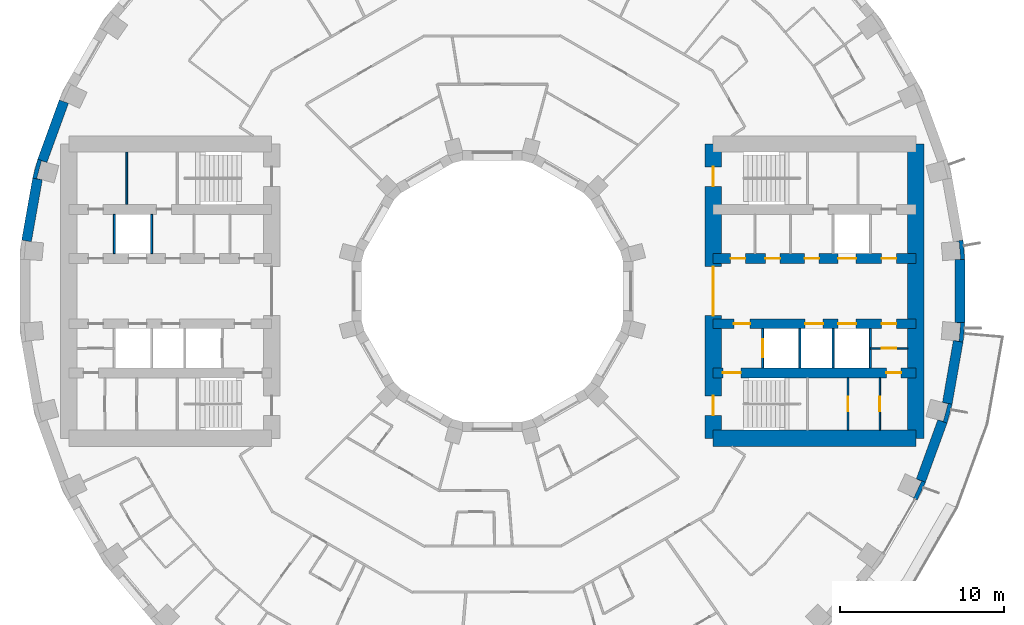
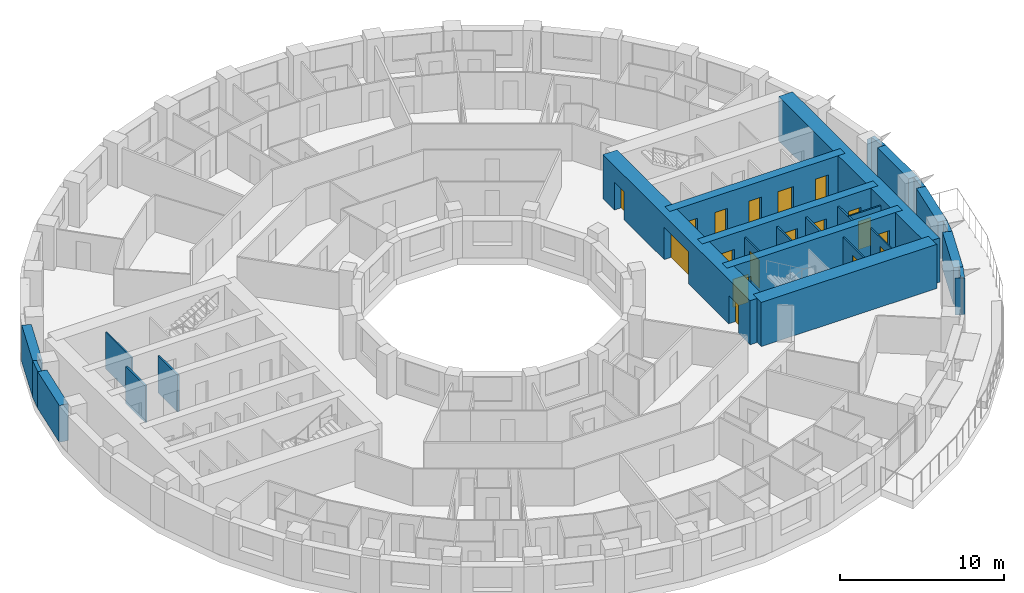
# One storey, part 9 of 15: 26 walls, 18 doors, 18 openings.
"""IFC4 building model written with IfcOpenShell, lengths in metres."""

import ifcopenshell
import ifcopenshell.guid

model = None  # the IFC model being written
_history = None  # IfcOwnerHistory: only IFC2X3 demands one
_inside = {}  # id of a spatial element -> (the spatial element, [elements in it])
_under = {}  # id of a project, library or spatial element -> (it, [spatial elements below it])
_declared = {}  # id of a project -> (the project, [libraries it declares])
_typed = {}  # id of a type object -> (the type object, [elements of that type])
_made_of = {}  # id of a material, layer set ... -> (it, [elements and type objects made of it])


def new_model(schema):
    """Start an empty IFC model of exactly this schema.

    Asked for "IFC4X3", IfcOpenShell would pick the latest addendum, in which some entities
    have other attributes; the version numbers below select the first issue.
    IFC2X3 requires an IfcOwnerHistory on every rooted entity: one is made here for all.
    """
    global model, _history
    if schema == "IFC4X3":
        model = ifcopenshell.file(schema_version=(4, 3, 0, 0))
    else:
        model = ifcopenshell.file(schema=schema)
    _inside.clear()
    _under.clear()
    _declared.clear()
    _typed.clear()
    _made_of.clear()
    _history = None
    if model.schema == "IFC2X3":
        org = make("IfcOrganization", Name="unknown")
        user = make(
            "IfcPersonAndOrganization",
            ThePerson=make("IfcPerson", FamilyName="unknown"),
            TheOrganization=org,
        )
        app = make(
            "IfcApplication",
            ApplicationDeveloper=org,
            Version="unknown",
            ApplicationFullName="unknown",
            ApplicationIdentifier="unknown",
        )
        _history = make(
            "IfcOwnerHistory",
            OwningUser=user,
            OwningApplication=app,
            ChangeAction="ADDED",
            CreationDate=0,
        )
    return model


def make(cls, **values):
    """One entity of the class cls with the attributes given. An attribute that is None is left unset."""
    return model.create_entity(
        cls, **{name: value for name, value in values.items() if value is not None}
    )


def rooted(cls, **values):
    """An entity with a GlobalId (a new one), such as an element, a storey or a relation."""
    return make(cls, GlobalId=ifcopenshell.guid.new(), OwnerHistory=_history, **values)


def si_unit(unit_type, name, prefix=None):
    """IfcSIUnit, for example si_unit("LENGTHUNIT", "METRE", prefix="MILLI")."""
    return make("IfcSIUnit", UnitType=unit_type, Prefix=prefix, Name=name)


def assignment(units):
    """IfcUnitAssignment: the units of a project."""
    return None if units is None else make("IfcUnitAssignment", Units=units)


def point(xyz):
    """IfcCartesianPoint."""
    return None if xyz is None else make("IfcCartesianPoint", Coordinates=xyz)


def direction(xyz):
    """IfcDirection."""
    return None if xyz is None else make("IfcDirection", DirectionRatios=xyz)


def frame(location, z_axis=None, x_axis=None):
    """IfcAxis2Placement3D, a coordinate frame: its origin and axes. An axis left out is left unset."""
    return make(
        "IfcAxis2Placement3D",
        Location=point(location),
        Axis=direction(z_axis),
        RefDirection=direction(x_axis),
    )


def frame_2d(location, x_axis=None):
    """IfcAxis2Placement2D, a coordinate frame in the plane: its origin and x axis."""
    return make(
        "IfcAxis2Placement2D", Location=point(location), RefDirection=direction(x_axis)
    )


def origin():
    """The frame at (0, 0, 0) with its axes left unset."""
    return frame((0.0, 0.0, 0.0))


def place(relative_to, where):
    """IfcLocalPlacement: puts the frame where relative to a parent placement (None: the world)."""
    return make(
        "IfcLocalPlacement", PlacementRelTo=relative_to, RelativePlacement=where
    )


def context(
    kind, dimensions, precision=None, world=None, true_north=None, identifier=None
):
    """IfcGeometricRepresentationContext, for example the 3D "Model" context."""
    return make(
        "IfcGeometricRepresentationContext",
        ContextIdentifier=identifier,
        ContextType=kind,
        CoordinateSpaceDimension=dimensions,
        Precision=precision,
        WorldCoordinateSystem=world,
        TrueNorth=true_north,
    )


def subcontext(parent, identifier, kind, view, scale=None):
    """IfcGeometricRepresentationSubContext, for example "Body" below "Model"."""
    return make(
        "IfcGeometricRepresentationSubContext",
        ContextIdentifier=identifier,
        ContextType=kind,
        ParentContext=parent,
        TargetScale=scale,
        TargetView=view,
    )


def project(units=None, contexts=None):
    """IfcProject with its units and contexts."""
    return rooted(
        "IfcProject",
        Name="project",
        RepresentationContexts=contexts,
        UnitsInContext=assignment(units),
    )


def spatial(cls, under=None, at=None, **own):
    """A site, building, storey or space (cls), placed at a placement, below another one or the project."""
    s = rooted(cls, ObjectPlacement=at, **own)
    if under is not None:
        _under.setdefault(under.id(), (under, []))[1].append(s)
    return s


def polyline(points):
    """IfcPolyline through the points."""
    return make("IfcPolyline", Points=[point(p) for p in points])


def profile(cls, at=None, kind="AREA", **sizes):
    """A parametric profile (cls). Its sizes go by their IFC names, for example OverallWidth=200.0."""
    return make(cls, ProfileType=kind, Position=at, **sizes)


def rectangle(**sizes):
    """IfcRectangleProfileDef."""
    return profile("IfcRectangleProfileDef", **sizes)


def outline(outer, holes=None, kind="AREA"):
    """IfcArbitraryClosedProfileDef: a profile drawn as a closed curve; with holes, ...WithVoids."""
    if holes is None:
        return make("IfcArbitraryClosedProfileDef", ProfileType=kind, OuterCurve=outer)
    return make(
        "IfcArbitraryProfileDefWithVoids",
        ProfileType=kind,
        OuterCurve=outer,
        InnerCurves=holes,
    )


def extrude(swept, where, along, depth):
    """IfcExtrudedAreaSolid: the profile swept, set in the frame where, extruded along a direction by depth."""
    return make(
        "IfcExtrudedAreaSolid",
        SweptArea=swept,
        Position=where,
        ExtrudedDirection=direction(along),
        Depth=depth,
    )


def shape(context_of_items, identifier, shape_type, items):
    """IfcShapeRepresentation: the items that make up one representation, for example the "Body"."""
    return make(
        "IfcShapeRepresentation",
        ContextOfItems=context_of_items,
        RepresentationIdentifier=identifier,
        RepresentationType=shape_type,
        Items=items,
    )


def material(Name=None, Category=None):
    """IfcMaterial."""
    return make("IfcMaterial", Name=Name, Category=Category)


def layer(
    of_material, thickness, ventilated=None, Name=None, Category=None, Priority=None
):
    """IfcMaterialLayer: one layer of a wall or slab, of a material (None: an air gap)."""
    return make(
        "IfcMaterialLayer",
        Material=of_material,
        LayerThickness=thickness,
        IsVentilated=ventilated,
        Name=Name,
        Category=Category,
        Priority=Priority,
    )


def layer_set(layers, Name=None):
    """IfcMaterialLayerSet."""
    return make("IfcMaterialLayerSet", MaterialLayers=layers, LayerSetName=Name)


def made_of(thing, what):
    """Note that an element or type object is made of a material, layer set ...; save() writes the relation."""
    if what is not None:
        _made_of.setdefault(what.id(), (what, []))[1].append(thing)
    return thing


def type_object(cls, material=None, **own):
    """A type object (cls), such as IfcWallType, which elements share."""
    return made_of(rooted(cls, **own), material)


def element(
    cls,
    number,
    at=None,
    inside=None,
    cuts=None,
    type_object=None,
    material=None,
    context=None,
    identifier="Body",
    shape_type=None,
    held_by="IfcProductDefinitionShape",
    body=None,
    shapes=None,
    **own,
):
    """One element of the class cls, such as IfcWall. Its Tag is "e" and its number.

    at: its placement. inside: the storey or other place that contains it. cuts: it is an
    opening in that element (IfcRelVoidsElement). A single representation is given by context,
    identifier, shape_type and body (its items); several are given by shapes. held_by: the class
    of the entity that holds the representations. save() writes the other relations.
    """
    e = rooted(cls, Tag="e%d" % number, ObjectPlacement=at, **own)
    if body is not None:
        shapes = [shape(context, identifier, shape_type, body)]
    if shapes is not None:
        e.Representation = make(held_by, Representations=shapes)
    if inside is not None:
        _inside.setdefault(inside.id(), (inside, []))[1].append(e)
    if cuts is not None:
        rooted(
            "IfcRelVoidsElement", RelatingBuildingElement=cuts, RelatedOpeningElement=e
        )
    if type_object is not None:
        _typed.setdefault(type_object.id(), (type_object, []))[1].append(e)
    return made_of(e, material)


def fill(opening, filler):
    """IfcRelFillsElement: the door or window that sits in an opening."""
    return rooted(
        "IfcRelFillsElement",
        RelatingOpeningElement=opening,
        RelatedBuildingElement=filler,
    )


def aggregate(whole, parts):
    """IfcRelAggregates: a whole, such as a stair, and the parts it consists of."""
    return rooted("IfcRelAggregates", RelatingObject=whole, RelatedObjects=parts)


def save(model, path):
    """Write the relations noted so far, then the file.

    IfcRelAggregates (storeys below a building ...), IfcRelContainedInSpatialStructure (elements
    in a storey), IfcRelDefinesByType, IfcRelAssociatesMaterial and IfcRelDeclares: one each for
    every whole, place, type object, material and project.
    """
    for whole, parts in _under.values():
        aggregate(whole, parts)
    for where, things in _inside.values():
        rooted(
            "IfcRelContainedInSpatialStructure",
            RelatedElements=things,
            RelatingStructure=where,
        )
    for kind, things in _typed.values():
        rooted("IfcRelDefinesByType", RelatedObjects=things, RelatingType=kind)
    for what, things in _made_of.values():
        rooted("IfcRelAssociatesMaterial", RelatedObjects=things, RelatingMaterial=what)
    for by, libraries in _declared.values():
        rooted("IfcRelDeclares", RelatingContext=by, RelatedDefinitions=libraries)
    model.write(path)


model = new_model("IFC4")

# Units and contexts
model_context = context("Model", 3, precision=1e-05, world=origin(), true_north=direction((0.0, 1.0)))
body_context = subcontext(model_context, "Body", "Model", "MODEL_VIEW")
ifc_project = project(units=[si_unit("LENGTHUNIT", "METRE"), si_unit("AREAUNIT", "SQUARE_METRE"), si_unit("VOLUMEUNIT", "CUBIC_METRE"), si_unit("PLANEANGLEUNIT", "RADIAN"), si_unit("MASSUNIT", "GRAM", prefix="KILO")], contexts=[model_context])

# Site, building, storey
site_placement = place(None, origin())
site = spatial("IfcSite", under=ifc_project, at=site_placement, CompositionType="ELEMENT")
building_placement = place(site_placement, origin())
building = spatial("IfcBuilding", under=site, at=building_placement, Name="Saqina Gate Tower", CompositionType="ELEMENT")
storey_placement = place(building_placement, frame((0.0, 0.0, 42.800048828125)))
storey = spatial("IfcBuildingStorey", under=building, at=storey_placement, Name="L11", CompositionType="ELEMENT", Elevation=42.800048828125)

# Walls
ifc_material_1 = material(Name="Brick masonry (red)", Category="masonry")
wall_type_1 = type_object("IfcWallType", Name="BRICK PIER COPING RED", PredefinedType="SOLIDWALL", material=ifc_material_1)
wall_1_placement = place(storey_placement, origin())
element("IfcWall", 1, at=wall_1_placement, inside=storey, type_object=wall_type_1, Name="Pier cap L11 column 1", PredefinedType="SOLIDWALL", context=body_context, shape_type="SweptSolid", body=[
    extrude(outline(polyline([(28.8896484375, 1.9228515625), (28.78466796875, 3.122802734375), (28.19384765625, 3.018798828125), (28.54296875, 3.04931640625), (28.638671875, 1.95361328125), (28.28955078125, 1.9228515625), (28.8896484375, 1.9228515625)])), origin(), (0.0, 0.0, 1.0), 2.75),
])
wall_2_placement = place(storey_placement, origin())
element("IfcWall", 2, at=wall_2_placement, inside=storey, type_object=wall_type_1, Name="Pier cap L11 column 17", PredefinedType="SOLIDWALL", context=body_context, shape_type="SweptSolid", body=[
    extrude(outline(polyline([(-28.11669921875, 6.910400390625), (-27.52587890625, 6.80615234375), (-27.864501953125, 6.896728515625), (-27.57958984375, 7.95947265625), (-27.2412109375, 7.86865234375), (-27.80517578125, 8.073974609375), (-28.11669921875, 6.910400390625)])), origin(), (0.0, 0.0, 1.0), 2.75),
])
wall_3_placement = place(storey_placement, origin())
element("IfcWall", 3, at=wall_3_placement, inside=storey, type_object=wall_type_1, Name="Pier cap L11 column 34", PredefinedType="SOLIDWALL", context=body_context, shape_type="SweptSolid", body=[
    extrude(outline(polyline([(26.48974609375, -11.687744140625), (25.92578125, -11.482666015625), (26.243408203125, -11.630615234375), (25.778564453125, -12.627685546875), (25.4609375, -12.4794921875), (25.980712890625, -12.779541015625), (26.48974609375, -11.687744140625)])), origin(), (0.0, 0.0, 1.0), 2.75),
])
wall_4_placement = place(storey_placement, origin())
element("IfcWall", 4, at=wall_4_placement, inside=storey, type_object=wall_type_1, Name="Pier cap L11 column 35", PredefinedType="SOLIDWALL", context=body_context, shape_type="SweptSolid", body=[
    extrude(outline(polyline([(28.11669921875, -6.910400390625), (27.52587890625, -6.80615234375), (27.864501953125, -6.896728515625), (27.57958984375, -7.95947265625), (27.2412109375, -7.86865234375), (27.80517578125, -8.073974609375), (28.11669921875, -6.910400390625)])), origin(), (0.0, 0.0, 1.0), 2.75),
])
wall_5_placement = place(storey_placement, origin())
element("IfcWall", 5, at=wall_5_placement, inside=storey, type_object=wall_type_1, Name="Pier cap L11 column 36", PredefinedType="SOLIDWALL", context=body_context, shape_type="SweptSolid", body=[
    extrude(outline(polyline([(28.78466796875, -3.122802734375), (28.8896484375, -1.9228515625), (28.28955078125, -1.9228515625), (28.638671875, -1.95361328125), (28.54296875, -3.04931640625), (28.19384765625, -3.018798828125), (28.78466796875, -3.122802734375)])), origin(), (0.0, 0.0, 1.0), 2.75),
])

# Wall, opening, door
ifc_material_2 = material(Name="Gypsum board on steel studs", Category="steel")
ifc_layer_1 = layer(ifc_material_2, 0.10009765625)
ifc_layer_set_1 = layer_set([ifc_layer_1], Name="CORE PARTITION")
wall_type_2 = type_object("IfcWallType", Name="CORE PARTITION", PredefinedType="PARTITIONING", material=ifc_layer_set_1)
wall_6_placement = place(storey_placement, frame((23.1201171875, -3.5, 0.0), z_axis=(0.0, 0.0, 1.0), x_axis=(1.0, 0.0, 0.0)))
wall_6 = element("IfcWall", 6, at=wall_6_placement, inside=storey, type_object=wall_type_2, Name="L11-CP-E09", PredefinedType="PARTITIONING", context=body_context, shape_type="SweptSolid", body=[
    extrude(rectangle(XDim=2.27978515625, YDim=0.10009765625, at=frame_2d((1.139892578125, 0.0))), origin(), (0.0, 0.0, 1.0), 2.75),
])
opening_1_placement = place(wall_6_placement, frame((0.68994140625, 0.0, 0.0)))
opening_1 = element("IfcOpeningElement", 7, at=opening_1_placement, cuts=wall_6, Name="Opening G02-D98", PredefinedType="OPENING", context=body_context, shape_type="SweptSolid", body=[
    extrude(rectangle(XDim=0.89990234375, YDim=2.10009765625, at=frame_2d((0.449951171875, 1.050048828125))), frame((0.0, 0.06201171875, 0.0), z_axis=(0.0, -1.0, 0.0), x_axis=(1.0, 0.0, 0.0)), (0.0, 0.0, 1.0), 0.1240234375),
])
ifc_material_3 = material(Name="Steel-framed fire door leaf, EI 60", Category="steel")
door_type_1 = type_object("IfcDoorType", Name="SERVICE ROOM DOOR 900", OperationType="SINGLE_SWING_LEFT", PredefinedType="DOOR", material=ifc_material_3)
door_1_placement = place(opening_1_placement, frame((0.89990234375, 0.0, 0.0), z_axis=(0.0, 0.0, 1.0), x_axis=(-1.0, 0.0, 0.0)))
door_1 = element("IfcDoor", 8, at=door_1_placement, inside=storey, type_object=door_type_1, Name="L11-CD-E09", OperationType="SINGLE_SWING_LEFT", OverallHeight=2.10009765625, OverallWidth=0.89990234375, PredefinedType="DOOR", context=body_context, shape_type="SweptSolid", body=[
    extrude(rectangle(XDim=0.89990234375, YDim=2.10009765625, at=frame_2d((0.449951171875, 1.050048828125))), frame((0.0, 0.02490234375, 0.0), z_axis=(0.0, -1.0, 0.0), x_axis=(1.0, 0.0, 0.0)), (0.0, 0.0, 1.0), 0.050048828125),
])
fill(opening_1, door_1)

wall_7_placement = place(storey_placement, frame((21.751953125, -8.5, 0.0), z_axis=(0.0, 0.0, 1.0), x_axis=(0.0, 1.0, 0.0)))
wall_7 = element("IfcWall", 9, at=wall_7_placement, inside=storey, type_object=wall_type_2, Name="L11-CP-E13", PredefinedType="PARTITIONING", context=body_context, shape_type="SweptSolid", body=[
    extrude(rectangle(XDim=3.199951171875, YDim=0.10009765625, at=frame_2d((1.60009765625, 0.0))), origin(), (0.0, 0.0, 1.0), 2.75),
])
opening_2_placement = place(wall_7_placement, frame((1.14990234375, 0.0, 0.0)))
opening_2 = element("IfcOpeningElement", 10, at=opening_2_placement, cuts=wall_7, Name="Opening G02-D100", PredefinedType="OPENING", context=body_context, shape_type="SweptSolid", body=[
    extrude(rectangle(XDim=0.89990234375, YDim=2.10009765625, at=frame_2d((0.449951171875, 1.050048828125))), frame((0.0, 0.06201171875, 0.0), z_axis=(0.0, -1.0, 0.0), x_axis=(1.0, 0.0, 0.0)), (0.0, 0.0, 1.0), 0.1240234375),
])
door_2_placement = place(opening_2_placement, origin())
door_2 = element("IfcDoor", 11, at=door_2_placement, inside=storey, type_object=door_type_1, Name="L11-CD-E11", OperationType="SINGLE_SWING_LEFT", OverallHeight=2.10009765625, OverallWidth=0.89990234375, PredefinedType="DOOR", context=body_context, shape_type="SweptSolid", body=[
    extrude(rectangle(XDim=0.89990234375, YDim=2.10009765625, at=frame_2d((0.449951171875, 1.050048828125))), frame((0.0, 0.02490234375, 0.0), z_axis=(0.0, -1.0, 0.0), x_axis=(1.0, 0.0, 0.0)), (0.0, 0.0, 1.0), 0.050048828125),
])
fill(opening_2, door_2)

wall_8_placement = place(storey_placement, frame((23.697509765625, -8.5, 0.0), z_axis=(0.0, 0.0, 1.0), x_axis=(0.0, 1.0, 0.0)))
wall_8 = element("IfcWall", 12, at=wall_8_placement, inside=storey, type_object=wall_type_2, Name="L11-CP-E14", PredefinedType="PARTITIONING", context=body_context, shape_type="SweptSolid", body=[
    extrude(rectangle(XDim=3.199951171875, YDim=0.10009765625, at=frame_2d((1.60009765625, 0.0))), origin(), (0.0, 0.0, 1.0), 2.75),
])
opening_3_placement = place(wall_8_placement, frame((1.14990234375, 0.0, 0.0)))
opening_3 = element("IfcOpeningElement", 13, at=opening_3_placement, cuts=wall_8, Name="Opening G02-D99", PredefinedType="OPENING", context=body_context, shape_type="SweptSolid", body=[
    extrude(rectangle(XDim=0.89990234375, YDim=2.10009765625, at=frame_2d((0.449951171875, 1.050048828125))), frame((0.0, 0.06201171875, 0.0), z_axis=(0.0, -1.0, 0.0), x_axis=(1.0, 0.0, 0.0)), (0.0, 0.0, 1.0), 0.1240234375),
])
door_3_placement = place(opening_3_placement, origin())
door_3 = element("IfcDoor", 14, at=door_3_placement, inside=storey, type_object=door_type_1, Name="L11-CD-E10", OperationType="SINGLE_SWING_LEFT", OverallHeight=2.10009765625, OverallWidth=0.89990234375, PredefinedType="DOOR", context=body_context, shape_type="SweptSolid", body=[
    extrude(rectangle(XDim=0.89990234375, YDim=2.10009765625, at=frame_2d((0.449951171875, 1.050048828125))), frame((0.0, 0.02490234375, 0.0), z_axis=(0.0, -1.0, 0.0), x_axis=(1.0, 0.0, 0.0)), (0.0, 0.0, 1.0), 0.050048828125),
])
fill(opening_3, door_3)

# Walls
wall_9_placement = place(storey_placement, frame((-22.360107421875, 5.300048828125, 0.0), z_axis=(0.0, 0.0, 1.0), x_axis=(0.0, 1.0, 0.0)))
element("IfcWall", 15, at=wall_9_placement, inside=storey, type_object=wall_type_2, Name="L11-CP-W11", PredefinedType="PARTITIONING", context=body_context, shape_type="SweptSolid", body=[
    extrude(rectangle(XDim=3.199951171875, YDim=0.10009765625, at=frame_2d((1.60009765625, 0.0))), origin(), (0.0, 0.0, 1.0), 2.75),
])
ifc_material_4 = material(Name="Glazed ceramic tile", Category="ceramic")
ifc_layer_2 = layer(ifc_material_4, 0.60009765625)
ifc_layer_set_2 = layer_set([ifc_layer_2], Name="FW-TILE")
wall_type_3 = type_object("IfcWallType", Name="FW-TILE", PredefinedType="SOLIDWALL", material=ifc_layer_set_2)
for number, where, z_axis, x_axis, name in (
    (16, (-26.207763671875, 11.585205078125, 0.0), (0.0, 0.0, 1.0), (-0.342028474173, -0.939689588564, 0.0), "Facade wall L11 facet 16"),
    (17, (26.207763671875, -11.585205078125, 0.0), (0.0, 0.0, 1.0), (0.342028474173, 0.939689588564, 0.0), "Facade wall L11 facet 34"),
):
    element("IfcWall", number, at=place(storey_placement, frame(where, z_axis=z_axis, x_axis=x_axis)), inside=storey, type_object=wall_type_3, Name=name, PredefinedType="SOLIDWALL", context=body_context, shape_type="SweptSolid", body=[
        extrude(rectangle(XDim=3.845947265625, YDim=0.60009765625, at=frame_2d((1.9228515625, 0.0))), origin(), (0.0, 0.0, 1.0), 2.75),
    ])
wall_10_placement = place(storey_placement, frame((28.589599609375, -1.9228515625, 0.0), z_axis=(0.0, 0.0, 1.0), x_axis=(0.0, 1.0, 0.0)))
element("IfcWall", 18, at=wall_10_placement, inside=storey, type_object=wall_type_3, Name="Facade wall L11 facet 36", PredefinedType="SOLIDWALL", context=body_context, shape_type="SweptSolid", body=[
    extrude(rectangle(XDim=3.845703125, YDim=0.60009765625, at=frame_2d((1.9228515625, 0.0))), origin(), (0.0, 0.0, 1.0), 2.75),
])
ifc_material_5 = material(Name="Glazed ceramic tile (dark blue)", Category="ceramic")
ifc_layer_3 = layer(ifc_material_5, 0.60009765625)
ifc_layer_set_3 = layer_set([ifc_layer_3], Name="FW-TILE-CB")
wall_type_4 = type_object("IfcWallType", Name="FW-TILE-CB", PredefinedType="SOLIDWALL", material=ifc_layer_set_3)
wall_11_placement = place(storey_placement, frame((27.8212890625, -6.858154296875, 0.0), z_axis=(0.0, 0.0, 1.0), x_axis=(0.173687553279, 0.984800809218, 0.0)))
element("IfcWall", 19, at=wall_11_placement, inside=storey, type_object=wall_type_4, Name="Facade wall L11 facet 35", PredefinedType="SOLIDWALL", context=body_context, shape_type="SweptSolid", body=[
    extrude(rectangle(XDim=3.845703125, YDim=0.60009765625, at=frame_2d((1.9228515625, 0.0))), origin(), (0.0, 0.0, 1.0), 2.75),
])
ifc_material_6 = material(Name="Glazed ceramic tile (white)", Category="ceramic")
ifc_layer_4 = layer(ifc_material_6, 0.60009765625)
ifc_layer_set_4 = layer_set([ifc_layer_4], Name="FW-TILE-WH")
wall_type_5 = type_object("IfcWallType", Name="FW-TILE-WH", PredefinedType="SOLIDWALL", material=ifc_layer_set_4)
wall_12_placement = place(storey_placement, frame((-27.8212890625, 6.858154296875, 0.0), z_axis=(0.0, 0.0, 1.0), x_axis=(-0.173687553279, -0.984800809218, 0.0)))
element("IfcWall", 20, at=wall_12_placement, inside=storey, type_object=wall_type_5, Name="Facade wall L11 facet 17", PredefinedType="SOLIDWALL", context=body_context, shape_type="SweptSolid", body=[
    extrude(rectangle(XDim=3.845703125, YDim=0.60009765625, at=frame_2d((1.9228515625, 0.0))), origin(), (0.0, 0.0, 1.0), 2.75),
])

# Wall, opening, door
ifc_material_7 = material(Name="Autoclaved aerated concrete block", Category="concrete")
ifc_layer_5 = layer(ifc_material_7, 0.1201171875)
ifc_layer_set_5 = layer_set([ifc_layer_5], Name="SHAFT PARTITION")
wall_type_6 = type_object("IfcWallType", Name="SHAFT PARTITION", PredefinedType="PARTITIONING", material=ifc_layer_set_5)
wall_13_placement = place(storey_placement, frame((16.530029296875, -4.699951171875, 0.0), z_axis=(0.0, 0.0, 1.0), x_axis=(0.0, 1.0, 0.0)))
wall_13 = element("IfcWall", 21, at=wall_13_placement, inside=storey, type_object=wall_type_6, Name="L11-CP-E05", PredefinedType="PARTITIONING", context=body_context, shape_type="SweptSolid", body=[
    extrude(rectangle(XDim=2.39990234375, YDim=0.1201171875, at=frame_2d((1.199951171875, 0.0))), origin(), (0.0, 0.0, 1.0), 2.75),
])
opening_4_placement = place(wall_13_placement, frame((0.64990234375, 0.0, 0.0)))
opening_4 = element("IfcOpeningElement", 22, at=opening_4_placement, cuts=wall_13, Name="Opening G02-LD2", PredefinedType="OPENING", context=body_context, shape_type="SweptSolid", body=[
    extrude(rectangle(XDim=1.10009765625, YDim=2.10009765625, at=frame_2d((0.550048828125, 1.050048828125))), frame((0.0, 0.072021484375, 0.0), z_axis=(0.0, -1.0, 0.0), x_axis=(1.0, 0.0, 0.0)), (0.0, 0.0, 1.0), 0.14404296875),
])
ifc_material_8 = material(Name="Stainless steel", Category="steel")
door_type_2 = type_object("IfcDoorType", Name="LANDING DOOR", OperationType="DOUBLE_DOOR_SLIDING", PredefinedType="DOOR", material=ifc_material_8)
door_4_placement = place(opening_4_placement, origin())
door_4 = element("IfcDoor", 23, at=door_4_placement, inside=storey, type_object=door_type_2, Name="LANDING DOOR FF1", OperationType="DOUBLE_DOOR_SLIDING", OverallHeight=2.10009765625, OverallWidth=1.10009765625, PredefinedType="DOOR", context=body_context, shape_type="SweptSolid", body=[
    extrude(rectangle(XDim=1.10009765625, YDim=2.10009765625, at=frame_2d((0.550048828125, 1.050048828125))), frame((0.0, 0.02490234375, 0.0), z_axis=(0.0, -1.0, 0.0), x_axis=(1.0, 0.0, 0.0)), (0.0, 0.0, 1.0), 0.050048828125),
])
fill(opening_4, door_4)

# Walls
for number, where, z_axis, x_axis, name in (
    (24, (18.81005859375, -4.699951171875, 0.0), (0.0, 0.0, 1.0), (0.0, 1.0, 0.0), "L11-CP-E06"),
    (25, (20.840087890625, -4.699951171875, 0.0), (0.0, 0.0, 1.0), (0.0, 1.0, 0.0), "L11-CP-E07"),
    (26, (23.1201171875, -4.699951171875, 0.0), (0.0, 0.0, 1.0), (0.0, 1.0, 0.0), "L11-CP-E08"),
    (27, (-20.840087890625, 2.300048828125, 0.0), (0.0, 0.0, 1.0), (0.0, 1.0, 0.0), "L11-CP-W03"),
    (28, (-23.1201171875, 2.300048828125, 0.0), (0.0, 0.0, 1.0), (0.0, 1.0, 0.0), "L11-CP-W04"),
):
    element("IfcWall", number, at=place(storey_placement, frame(where, z_axis=z_axis, x_axis=x_axis)), inside=storey, type_object=wall_type_6, Name=name, PredefinedType="PARTITIONING", context=body_context, shape_type="SweptSolid", body=[
        extrude(rectangle(XDim=2.39990234375, YDim=0.1201171875, at=frame_2d((1.199951171875, 0.0))), origin(), (0.0, 0.0, 1.0), 2.75),
    ])

# Wall, openings, doors
ifc_material_9 = material(Name="Concrete C70/85", Category="concrete")
ifc_layer_6 = layer(ifc_material_9, 0.60009765625)
ifc_layer_set_6 = layer_set([ifc_layer_6], Name="Concrete C70/85")
wall_type_7 = type_object("IfcWallType", Name="STR-CORE WALL-A-I", PredefinedType="SHEAR", material=ifc_layer_set_6)
wall_14_placement = place(storey_placement, frame((13.5, -5.0, 0.0), z_axis=(0.0, 0.0, 1.0), x_axis=(1.0, 0.0, 0.0)))
wall_14 = element("IfcWall", 29, at=wall_14_placement, inside=storey, type_object=wall_type_7, Name="CORE WALL L11 E-X2", PredefinedType="SHEAR", context=body_context, shape_type="SweptSolid", body=[
    extrude(rectangle(XDim=12.39990234375, YDim=0.60009765625, at=frame_2d((6.199951171875, 0.0))), origin(), (0.0, 0.0, 1.0), 3.300048828125),
])
opening_5_placement = place(wall_14_placement, frame((10.598876953125, 0.0, 0.0)))
opening_5 = element("IfcOpeningElement", 30, at=opening_5_placement, cuts=wall_14, Name="Opening G02-D101", PredefinedType="OPENING", context=body_context, shape_type="SweptSolid", body=[
    extrude(rectangle(XDim=0.89990234375, YDim=2.10009765625, at=frame_2d((0.449951171875, 1.050048828125))), frame((0.0, 0.31201171875, 0.0), z_axis=(0.0, -1.0, 0.0), x_axis=(1.0, 0.0, 0.0)), (0.0, 0.0, 1.0), 0.6240234375),
])
opening_6_placement = place(wall_14_placement, frame((0.60009765625, 0.0, 0.0)))
opening_6 = element("IfcOpeningElement", 31, at=opening_6_placement, cuts=wall_14, Name="Opening G02-D102", PredefinedType="OPENING", context=body_context, shape_type="SweptSolid", body=[
    extrude(rectangle(XDim=1.10009765625, YDim=2.10009765625, at=frame_2d((0.550048828125, 1.050048828125))), frame((0.0, 0.31201171875, 0.0), z_axis=(0.0, -1.0, 0.0), x_axis=(1.0, 0.0, 0.0)), (0.0, 0.0, 1.0), 0.6240234375),
])
ifc_material_10 = material(Name="Steel", Category="steel")
door_type_3 = type_object("IfcDoorType", Name="FIRE LOBBY DOOR EI 60 WIDE", OperationType="SINGLE_SWING_LEFT", PredefinedType="DOOR", material=ifc_material_10)
door_5_placement = place(opening_6_placement, frame((1.10009765625, 0.0, 0.0), z_axis=(0.0, 0.0, 1.0), x_axis=(-1.0, 0.0, 0.0)))
door_5 = element("IfcDoor", 32, at=door_5_placement, inside=storey, type_object=door_type_3, Name="L11-CD-E13", OperationType="SINGLE_SWING_RIGHT", OverallHeight=2.10009765625, OverallWidth=1.10009765625, PredefinedType="DOOR", context=body_context, shape_type="SweptSolid", body=[
    extrude(rectangle(XDim=1.10009765625, YDim=2.10009765625, at=frame_2d((0.550048828125, 1.050048828125))), frame((0.0, 0.02490234375, 0.0), z_axis=(0.0, -1.0, 0.0), x_axis=(1.0, 0.0, 0.0)), (0.0, 0.0, 1.0), 0.050048828125),
])
fill(opening_6, door_5)
door_6_placement = place(opening_5_placement, frame((0.89990234375, 0.0, 0.0), z_axis=(0.0, 0.0, 1.0), x_axis=(-1.0, 0.0, 0.0)))
door_6 = element("IfcDoor", 33, at=door_6_placement, inside=storey, type_object=door_type_1, Name="L11-CD-E12", OperationType="SINGLE_SWING_LEFT", OverallHeight=2.10009765625, OverallWidth=0.89990234375, PredefinedType="DOOR", context=body_context, shape_type="SweptSolid", body=[
    extrude(rectangle(XDim=0.89990234375, YDim=2.10009765625, at=frame_2d((0.449951171875, 1.050048828125))), frame((0.0, 0.02490234375, 0.0), z_axis=(0.0, -1.0, 0.0), x_axis=(1.0, 0.0, 0.0)), (0.0, 0.0, 1.0), 0.050048828125),
])
fill(opening_5, door_6)

wall_15_placement = place(storey_placement, frame((13.5, 2.0, 0.0), z_axis=(0.0, 0.0, 1.0), x_axis=(1.0, 0.0, 0.0)))
wall_15 = element("IfcWall", 34, at=wall_15_placement, inside=storey, type_object=wall_type_7, Name="CORE WALL L11 E-L1", PredefinedType="SHEAR", context=body_context, shape_type="SweptSolid", body=[
    extrude(rectangle(XDim=12.39990234375, YDim=0.60009765625, at=frame_2d((6.199951171875, 0.0))), origin(), (0.0, 0.0, 1.0), 3.300048828125),
])
opening_7_placement = place(wall_15_placement, frame((7.64990234375, 0.0, 0.0)))
opening_7 = element("IfcOpeningElement", 35, at=opening_7_placement, cuts=wall_15, Name="Opening G02-LD1", PredefinedType="OPENING", context=body_context, shape_type="SweptSolid", body=[
    extrude(rectangle(XDim=1.10009765625, YDim=2.10009765625, at=frame_2d((0.550048828125, 1.050048828125))), frame((0.0, 0.31201171875, 0.0), z_axis=(0.0, -1.0, 0.0), x_axis=(1.0, 0.0, 0.0)), (0.0, 0.0, 1.0), 0.6240234375),
])
opening_8_placement = place(wall_15_placement, frame((1.075927734375, 0.0, 0.0)))
opening_8 = element("IfcOpeningElement", 36, at=opening_8_placement, cuts=wall_15, Name="Opening G02-D90", PredefinedType="OPENING", context=body_context, shape_type="SweptSolid", body=[
    extrude(rectangle(XDim=0.89990234375, YDim=2.10009765625, at=frame_2d((0.449951171875, 1.050048828125))), frame((0.0, 0.31201171875, 0.0), z_axis=(0.0, -1.0, 0.0), x_axis=(1.0, 0.0, 0.0)), (0.0, 0.0, 1.0), 0.6240234375),
])
opening_9_placement = place(wall_15_placement, frame((3.1962890625, 0.0, 0.0)))
opening_9 = element("IfcOpeningElement", 37, at=opening_9_placement, cuts=wall_15, Name="Opening G02-D91", PredefinedType="OPENING", context=body_context, shape_type="SweptSolid", body=[
    extrude(rectangle(XDim=0.89990234375, YDim=2.10009765625, at=frame_2d((0.449951171875, 1.050048828125))), frame((0.0, 0.31201171875, 0.0), z_axis=(0.0, -1.0, 0.0), x_axis=(1.0, 0.0, 0.0)), (0.0, 0.0, 1.0), 0.6240234375),
])
opening_10_placement = place(wall_15_placement, frame((5.59033203125, 0.0, 0.0)))
opening_10 = element("IfcOpeningElement", 38, at=opening_10_placement, cuts=wall_15, Name="Opening G02-D92", PredefinedType="OPENING", context=body_context, shape_type="SweptSolid", body=[
    extrude(rectangle(XDim=0.89990234375, YDim=2.10009765625, at=frame_2d((0.449951171875, 1.050048828125))), frame((0.0, 0.31201171875, 0.0), z_axis=(0.0, -1.0, 0.0), x_axis=(1.0, 0.0, 0.0)), (0.0, 0.0, 1.0), 0.6240234375),
])
opening_11_placement = place(wall_15_placement, frame((10.31005859375, 0.0, 0.0)))
opening_11 = element("IfcOpeningElement", 39, at=opening_11_placement, cuts=wall_15, Name="Opening G02-D93", PredefinedType="OPENING", context=body_context, shape_type="SweptSolid", body=[
    extrude(rectangle(XDim=0.89990234375, YDim=2.10009765625, at=frame_2d((0.449951171875, 1.050048828125))), frame((0.0, 0.31201171875, 0.0), z_axis=(0.0, -1.0, 0.0), x_axis=(1.0, 0.0, 0.0)), (0.0, 0.0, 1.0), 0.6240234375),
])
door_7_placement = place(opening_7_placement, origin())
door_7 = element("IfcDoor", 40, at=door_7_placement, inside=storey, type_object=door_type_2, Name="LANDING DOOR LR1", OperationType="DOUBLE_DOOR_SLIDING", OverallHeight=2.10009765625, OverallWidth=1.10009765625, PredefinedType="DOOR", context=body_context, shape_type="SweptSolid", body=[
    extrude(rectangle(XDim=1.10009765625, YDim=2.10009765625, at=frame_2d((0.550048828125, 1.050048828125))), frame((0.0, 0.02490234375, 0.0), z_axis=(0.0, -1.0, 0.0), x_axis=(1.0, 0.0, 0.0)), (0.0, 0.0, 1.0), 0.050048828125),
])
fill(opening_7, door_7)
door_8_placement = place(opening_8_placement, origin())
door_8 = element("IfcDoor", 41, at=door_8_placement, inside=storey, type_object=door_type_1, Name="L11-CD-E01", OperationType="SINGLE_SWING_RIGHT", OverallHeight=2.10009765625, OverallWidth=0.89990234375, PredefinedType="DOOR", context=body_context, shape_type="SweptSolid", body=[
    extrude(rectangle(XDim=0.89990234375, YDim=2.10009765625, at=frame_2d((0.449951171875, 1.050048828125))), frame((0.0, 0.02490234375, 0.0), z_axis=(0.0, -1.0, 0.0), x_axis=(1.0, 0.0, 0.0)), (0.0, 0.0, 1.0), 0.050048828125),
])
fill(opening_8, door_8)
door_9_placement = place(opening_9_placement, origin())
door_9 = element("IfcDoor", 42, at=door_9_placement, inside=storey, type_object=door_type_1, Name="L11-CD-E02", OperationType="SINGLE_SWING_LEFT", OverallHeight=2.10009765625, OverallWidth=0.89990234375, PredefinedType="DOOR", context=body_context, shape_type="SweptSolid", body=[
    extrude(rectangle(XDim=0.89990234375, YDim=2.10009765625, at=frame_2d((0.449951171875, 1.050048828125))), frame((0.0, 0.02490234375, 0.0), z_axis=(0.0, -1.0, 0.0), x_axis=(1.0, 0.0, 0.0)), (0.0, 0.0, 1.0), 0.050048828125),
])
fill(opening_9, door_9)
door_10_placement = place(opening_10_placement, origin())
door_10 = element("IfcDoor", 43, at=door_10_placement, inside=storey, type_object=door_type_1, Name="L11-CD-E03", OperationType="SINGLE_SWING_LEFT", OverallHeight=2.10009765625, OverallWidth=0.89990234375, PredefinedType="DOOR", context=body_context, shape_type="SweptSolid", body=[
    extrude(rectangle(XDim=0.89990234375, YDim=2.10009765625, at=frame_2d((0.449951171875, 1.050048828125))), frame((0.0, 0.02490234375, 0.0), z_axis=(0.0, -1.0, 0.0), x_axis=(1.0, 0.0, 0.0)), (0.0, 0.0, 1.0), 0.050048828125),
])
fill(opening_10, door_10)
door_11_placement = place(opening_11_placement, origin())
door_11 = element("IfcDoor", 44, at=door_11_placement, inside=storey, type_object=door_type_1, Name="L11-CD-E04", OperationType="SINGLE_SWING_RIGHT", OverallHeight=2.10009765625, OverallWidth=0.89990234375, PredefinedType="DOOR", context=body_context, shape_type="SweptSolid", body=[
    extrude(rectangle(XDim=0.89990234375, YDim=2.10009765625, at=frame_2d((0.449951171875, 1.050048828125))), frame((0.0, 0.02490234375, 0.0), z_axis=(0.0, -1.0, 0.0), x_axis=(1.0, 0.0, 0.0)), (0.0, 0.0, 1.0), 0.050048828125),
])
fill(opening_11, door_11)

wall_16_placement = place(storey_placement, frame((13.5, -2.0, 0.0), z_axis=(0.0, 0.0, 1.0), x_axis=(1.0, 0.0, 0.0)))
wall_16 = element("IfcWall", 45, at=wall_16_placement, inside=storey, type_object=wall_type_7, Name="CORE WALL L11 E-L2", PredefinedType="SHEAR", context=body_context, shape_type="SweptSolid", body=[
    extrude(rectangle(XDim=12.39990234375, YDim=0.60009765625, at=frame_2d((6.199951171875, 0.0))), origin(), (0.0, 0.0, 1.0), 3.300048828125),
])
opening_12_placement = place(wall_16_placement, frame((5.6201171875, 0.0, 0.0)))
opening_12 = element("IfcOpeningElement", 46, at=opening_12_placement, cuts=wall_16, Name="Opening G02-LD3", PredefinedType="OPENING", context=body_context, shape_type="SweptSolid", body=[
    extrude(rectangle(XDim=1.10009765625, YDim=2.10009765625, at=frame_2d((0.550048828125, 1.050048828125))), frame((0.0, 0.31201171875, 0.0), z_axis=(0.0, -1.0, 0.0), x_axis=(1.0, 0.0, 0.0)), (0.0, 0.0, 1.0), 0.6240234375),
])
opening_13_placement = place(wall_16_placement, frame((7.64990234375, 0.0, 0.0)))
opening_13 = element("IfcOpeningElement", 47, at=opening_13_placement, cuts=wall_16, Name="Opening G02-LD4", PredefinedType="OPENING", context=body_context, shape_type="SweptSolid", body=[
    extrude(rectangle(XDim=1.10009765625, YDim=2.10009765625, at=frame_2d((0.550048828125, 1.050048828125))), frame((0.0, 0.31201171875, 0.0), z_axis=(0.0, -1.0, 0.0), x_axis=(1.0, 0.0, 0.0)), (0.0, 0.0, 1.0), 0.6240234375),
])
opening_14_placement = place(wall_16_placement, frame((1.264892578125, 0.0, 0.0)))
opening_14 = element("IfcOpeningElement", 48, at=opening_14_placement, cuts=wall_16, Name="Opening G02-D94", PredefinedType="OPENING", context=body_context, shape_type="SweptSolid", body=[
    extrude(rectangle(XDim=1.0, YDim=2.10009765625, at=frame_2d((0.5, 1.050048828125))), frame((0.0, 0.31201171875, 0.0), z_axis=(0.0, -1.0, 0.0), x_axis=(1.0, 0.0, 0.0)), (0.0, 0.0, 1.0), 0.6240234375),
])
opening_15_placement = place(wall_16_placement, frame((10.31005859375, 0.0, 0.0)))
opening_15 = element("IfcOpeningElement", 49, at=opening_15_placement, cuts=wall_16, Name="Opening G02-D95", PredefinedType="OPENING", context=body_context, shape_type="SweptSolid", body=[
    extrude(rectangle(XDim=0.89990234375, YDim=2.10009765625, at=frame_2d((0.449951171875, 1.050048828125))), frame((0.0, 0.31201171875, 0.0), z_axis=(0.0, -1.0, 0.0), x_axis=(1.0, 0.0, 0.0)), (0.0, 0.0, 1.0), 0.6240234375),
])
ifc_material_11 = material(Name="Steel", Category="steel")
door_type_4 = type_object("IfcDoorType", Name="FIRE LOBBY DOOR EI 60", OperationType="SINGLE_SWING_LEFT", PredefinedType="DOOR", material=ifc_material_11)
door_12_placement = place(opening_14_placement, origin())
door_12 = element("IfcDoor", 50, at=door_12_placement, inside=storey, type_object=door_type_4, Name="L11-CD-E05", OperationType="SINGLE_SWING_LEFT", OverallHeight=2.10009765625, OverallWidth=1.0, PredefinedType="DOOR", context=body_context, shape_type="SweptSolid", body=[
    extrude(rectangle(XDim=1.0, YDim=2.10009765625, at=frame_2d((0.5, 1.050048828125))), frame((0.0, 0.02490234375, 0.0), z_axis=(0.0, -1.0, 0.0), x_axis=(1.0, 0.0, 0.0)), (0.0, 0.0, 1.0), 0.050048828125),
])
fill(opening_14, door_12)
door_13_placement = place(opening_12_placement, origin())
door_13 = element("IfcDoor", 51, at=door_13_placement, inside=storey, type_object=door_type_2, Name="LANDING DOOR LR3", OperationType="DOUBLE_DOOR_SLIDING", OverallHeight=2.10009765625, OverallWidth=1.10009765625, PredefinedType="DOOR", context=body_context, shape_type="SweptSolid", body=[
    extrude(rectangle(XDim=1.10009765625, YDim=2.10009765625, at=frame_2d((0.550048828125, 1.050048828125))), frame((0.0, 0.02490234375, 0.0), z_axis=(0.0, -1.0, 0.0), x_axis=(1.0, 0.0, 0.0)), (0.0, 0.0, 1.0), 0.050048828125),
])
fill(opening_12, door_13)
door_14_placement = place(opening_13_placement, origin())
door_14 = element("IfcDoor", 52, at=door_14_placement, inside=storey, type_object=door_type_2, Name="LANDING DOOR LR2", OperationType="DOUBLE_DOOR_SLIDING", OverallHeight=2.10009765625, OverallWidth=1.10009765625, PredefinedType="DOOR", context=body_context, shape_type="SweptSolid", body=[
    extrude(rectangle(XDim=1.10009765625, YDim=2.10009765625, at=frame_2d((0.550048828125, 1.050048828125))), frame((0.0, 0.02490234375, 0.0), z_axis=(0.0, -1.0, 0.0), x_axis=(1.0, 0.0, 0.0)), (0.0, 0.0, 1.0), 0.050048828125),
])
fill(opening_13, door_14)
door_15_placement = place(opening_15_placement, frame((0.89990234375, 0.0, 0.0), z_axis=(0.0, 0.0, 1.0), x_axis=(-1.0, 0.0, 0.0)))
door_15 = element("IfcDoor", 53, at=door_15_placement, inside=storey, type_object=door_type_1, Name="L11-CD-E06", OperationType="SINGLE_SWING_LEFT", OverallHeight=2.10009765625, OverallWidth=0.89990234375, PredefinedType="DOOR", context=body_context, shape_type="SweptSolid", body=[
    extrude(rectangle(XDim=0.89990234375, YDim=2.10009765625, at=frame_2d((0.449951171875, 1.050048828125))), frame((0.0, 0.02490234375, 0.0), z_axis=(0.0, -1.0, 0.0), x_axis=(1.0, 0.0, 0.0)), (0.0, 0.0, 1.0), 0.050048828125),
])
fill(opening_15, door_15)

ifc_material_12 = material(Name="Concrete C70/85", Category="concrete")
ifc_layer_7 = layer(ifc_material_12, 1.0)
ifc_layer_set_7 = layer_set([ifc_layer_7], Name="Concrete C70/85")
wall_type_8 = type_object("IfcWallType", Name="STR-CORE WALL-A-O", PredefinedType="SHEAR", material=ifc_layer_set_7)
wall_17_placement = place(storey_placement, frame((13.5, -9.0, 0.0), z_axis=(0.0, 0.0, 1.0), x_axis=(0.0, 1.0, 0.0)))
wall_17 = element("IfcWall", 54, at=wall_17_placement, inside=storey, type_object=wall_type_8, Name="CORE WALL L11 E-W1", PredefinedType="SHEAR", context=body_context, shape_type="SweptSolid", body=[
    extrude(rectangle(XDim=18.0, YDim=1.0, at=frame_2d((9.0, 0.0))), origin(), (0.0, 0.0, 1.0), 3.300048828125),
])
opening_16_placement = place(wall_17_placement, frame((15.39990234375, 0.0, 0.0)))
opening_16 = element("IfcOpeningElement", 55, at=opening_16_placement, cuts=wall_17, Name="Opening G02-D103", PredefinedType="OPENING", context=body_context, shape_type="SweptSolid", body=[
    extrude(rectangle(XDim=1.199951171875, YDim=2.10009765625, at=frame_2d((0.60009765625, 1.050048828125))), frame((0.0, 0.511962890625, 0.0), z_axis=(0.0, -1.0, 0.0), x_axis=(1.0, 0.0, 0.0)), (0.0, 0.0, 1.0), 1.02392578125),
])
opening_17_placement = place(wall_17_placement, frame((1.39990234375, 0.0, 0.0)))
opening_17 = element("IfcOpeningElement", 56, at=opening_17_placement, cuts=wall_17, Name="Opening G02-D104", PredefinedType="OPENING", context=body_context, shape_type="SweptSolid", body=[
    extrude(rectangle(XDim=1.199951171875, YDim=2.10009765625, at=frame_2d((0.60009765625, 1.050048828125))), frame((0.0, 0.511962890625, 0.0), z_axis=(0.0, -1.0, 0.0), x_axis=(1.0, 0.0, 0.0)), (0.0, 0.0, 1.0), 1.02392578125),
])
opening_18_placement = place(wall_17_placement, frame((7.5, 0.0, 0.0)))
opening_18 = element("IfcOpeningElement", 57, at=opening_18_placement, cuts=wall_17, Name="Opening G02-D105", PredefinedType="OPENING", context=body_context, shape_type="SweptSolid", body=[
    extrude(rectangle(XDim=3.0, YDim=2.39990234375, at=frame_2d((1.5, 1.199951171875))), frame((0.0, 0.511962890625, 0.0), z_axis=(0.0, -1.0, 0.0), x_axis=(1.0, 0.0, 0.0)), (0.0, 0.0, 1.0), 1.02392578125),
])
ifc_material_13 = material(Name="Steel", Category="steel")
door_type_5 = type_object("IfcDoorType", Name="FIRE DOOR EI 60", OperationType="SINGLE_SWING_LEFT", PredefinedType="DOOR", material=ifc_material_13)
door_16_placement = place(opening_16_placement, frame((1.199951171875, 0.0, 0.0), z_axis=(0.0, 0.0, 1.0), x_axis=(-1.0, 0.0, 0.0)))
door_16 = element("IfcDoor", 58, at=door_16_placement, inside=storey, type_object=door_type_5, Name="L11-CD-E14", OperationType="SINGLE_SWING_LEFT", OverallHeight=2.10009765625, OverallWidth=1.199951171875, PredefinedType="DOOR", context=body_context, shape_type="SweptSolid", body=[
    extrude(rectangle(XDim=1.199951171875, YDim=2.10009765625, at=frame_2d((0.60009765625, 1.050048828125))), frame((0.0, 0.02490234375, 0.0), z_axis=(0.0, -1.0, 0.0), x_axis=(1.0, 0.0, 0.0)), (0.0, 0.0, 1.0), 0.050048828125),
])
fill(opening_16, door_16)
door_17_placement = place(opening_17_placement, frame((1.199951171875, 0.0, 0.0), z_axis=(0.0, 0.0, 1.0), x_axis=(-1.0, 0.0, 0.0)))
door_17 = element("IfcDoor", 59, at=door_17_placement, inside=storey, type_object=door_type_5, Name="L11-CD-E15", OperationType="SINGLE_SWING_RIGHT", OverallHeight=2.10009765625, OverallWidth=1.199951171875, PredefinedType="DOOR", context=body_context, shape_type="SweptSolid", body=[
    extrude(rectangle(XDim=1.199951171875, YDim=2.10009765625, at=frame_2d((0.60009765625, 1.050048828125))), frame((0.0, 0.02490234375, 0.0), z_axis=(0.0, -1.0, 0.0), x_axis=(1.0, 0.0, 0.0)), (0.0, 0.0, 1.0), 0.050048828125),
])
fill(opening_17, door_17)
ifc_material_14 = material(Name="Steel and fire-resisting glass", Category="steel")
door_type_6 = type_object("IfcDoorType", Name="LOBBY SCREEN DOOR", OperationType="DOUBLE_DOOR_SLIDING", PredefinedType="DOOR", material=ifc_material_14)
door_18_placement = place(opening_18_placement, origin())
door_18 = element("IfcDoor", 60, at=door_18_placement, inside=storey, type_object=door_type_6, Name="L11-CD-E16", OperationType="DOUBLE_DOOR_SLIDING", OverallHeight=2.39990234375, OverallWidth=3.0, PredefinedType="DOOR", context=body_context, shape_type="SweptSolid", body=[
    extrude(rectangle(XDim=3.0, YDim=2.39990234375, at=frame_2d((1.5, 1.199951171875))), frame((0.0, 0.02490234375, 0.0), z_axis=(0.0, -1.0, 0.0), x_axis=(1.0, 0.0, 0.0)), (0.0, 0.0, 1.0), 0.050048828125),
])
fill(opening_18, door_18)

# Walls
wall_18_placement = place(storey_placement, frame((25.89990234375, -9.0, 0.0), z_axis=(0.0, 0.0, 1.0), x_axis=(0.0, 1.0, 0.0)))
element("IfcWall", 61, at=wall_18_placement, inside=storey, type_object=wall_type_8, Name="CORE WALL L11 E-W2", PredefinedType="SHEAR", context=body_context, shape_type="SweptSolid", body=[
    extrude(rectangle(XDim=18.0, YDim=1.0, at=frame_2d((9.0, 0.0))), origin(), (0.0, 0.0, 1.0), 3.300048828125),
])
wall_19_placement = place(storey_placement, frame((13.5, -9.0, 0.0), z_axis=(0.0, 0.0, 1.0), x_axis=(1.0, 0.0, 0.0)))
element("IfcWall", 62, at=wall_19_placement, inside=storey, type_object=wall_type_8, Name="CORE WALL L11 E-SE", PredefinedType="SHEAR", context=body_context, shape_type="SweptSolid", body=[
    extrude(rectangle(XDim=12.39990234375, YDim=1.0, at=frame_2d((6.199951171875, 0.0))), origin(), (0.0, 0.0, 1.0), 3.300048828125),
])

save(model, "model.ifc")
